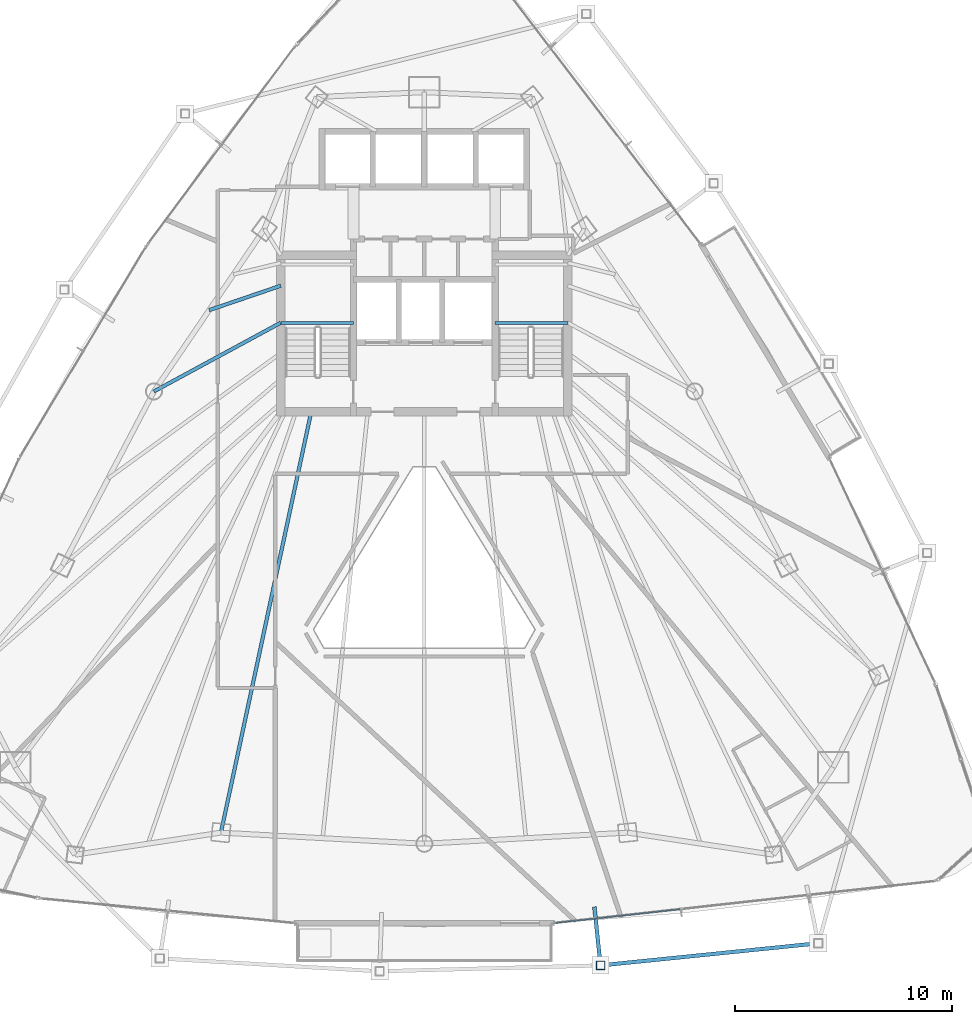
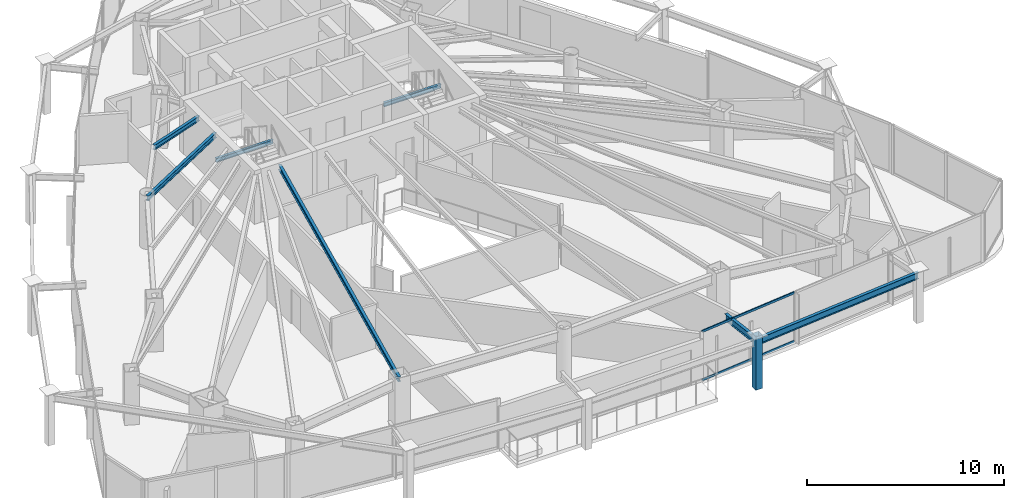
# One storey, part 12 of 31: 7 beams, 3 members, 1 element without a shape of its own.
"""IFC4 building model written with IfcOpenShell, lengths in metres."""

from ifc_helpers import new_model, si_unit, direction, frame, origin, origin_2d, place, context, subcontext, project, spatial, hollow_rectangle, i_section, extrude, material, layer, layer_set, material_profile, profile_set, type_object, element, aggregate, save


model = new_model("IFC4")

# Units and contexts
model_context = context("Model", 3, precision=1e-05, world=origin(), true_north=direction((0.0, 1.0)))
body_context = subcontext(model_context, "Body", "Model", "MODEL_VIEW")
ifc_project = project(units=[si_unit("LENGTHUNIT", "METRE"), si_unit("AREAUNIT", "SQUARE_METRE"), si_unit("VOLUMEUNIT", "CUBIC_METRE"), si_unit("PLANEANGLEUNIT", "RADIAN"), si_unit("MASSUNIT", "GRAM", prefix="KILO")], contexts=[model_context])

# Site, building, storey
site_placement = place(None, origin())
site = spatial("IfcSite", under=ifc_project, at=site_placement, CompositionType="ELEMENT")
building_placement = place(site_placement, origin())
building = spatial("IfcBuilding", under=site, at=building_placement, Name="Orvanel Arch Residences", CompositionType="ELEMENT")
storey_placement = place(building_placement, frame((0.0, 0.0, 133.10009765625)))
storey = spatial("IfcBuildingStorey", under=building, at=storey_placement, Name="L37", CompositionType="ELEMENT", Elevation=133.10009765625)

# Beams
ifc_material_1 = material(Name="Structural steel AS/NZS 3679.1 Grade 300 (300 MPa)", Category="steel")
ifc_material_profile_1 = material_profile(ifc_material_1, i_section(OverallWidth=0.14599609375, OverallDepth=0.251953125, WebThickness=0.006103515625, FlangeThickness=0.008544921875, at=origin_2d()), Name="250UB31.4")
ifc_profile_set_1 = profile_set([ifc_material_profile_1], Name="Structural steel AS/NZS 3679.1 Grade 300 (300 MPa)")
beam_type_1 = type_object("IfcBeamType", Name="BJ-250UB", PredefinedType="JOIST", material=ifc_profile_set_1)
for number, where, z_axis, x_axis, name in (
    (1, (26.39990234375, 30.780029296875, 1.323974609375), (1.0, 0.0, 0.0), (0.0, 1.0, 0.0), "L37 ST-1 Half-Landing Support Beam 1.1"),
    (2, (36.25, 30.780029296875, 1.323974609375), (1.0, 0.0, 0.0), (0.0, 1.0, 0.0), "L37 ST-2 Half-Landing Support Beam 1.1"),
):
    element("IfcBeam", number, at=place(storey_placement, frame(where, z_axis=z_axis, x_axis=x_axis)), inside=storey, type_object=beam_type_1, Name=name, PredefinedType="JOIST", context=body_context, shape_type="SweptSolid", body=[
        extrude(i_section(OverallWidth=0.14599609375, OverallDepth=0.251953125, WebThickness=0.006103515625, FlangeThickness=0.008544921875, at=origin_2d()), origin(), (0.0, 0.0, 1.0), 3.35009765625),
    ])
ifc_material_profile_2 = material_profile(ifc_material_1, i_section(OverallWidth=0.1650390625, OverallDepth=0.303955078125, WebThickness=0.006103515625, FlangeThickness=0.01025390625, at=origin_2d()), Name="310UB40.4")
ifc_profile_set_2 = profile_set([ifc_material_profile_2], Name="Structural steel AS/NZS 3679.1 Grade 300 (300 MPa)")
beam_type_2 = type_object("IfcBeamType", Name="BJ-310UB", PredefinedType="JOIST", material=ifc_profile_set_2)
beam_1_placement = place(storey_placement, frame((26.39990234375, 30.800048828125, 2.907958984375), z_axis=(-0.87925534649, -0.476350748576, 0.0), x_axis=(0.476350748576, -0.87925534649, 0.0)))
element("IfcBeam", 3, at=beam_1_placement, inside=storey, type_object=beam_type_2, Name="L37 NW Wing Floor Joist", PredefinedType="JOIST", context=body_context, shape_type="SweptSolid", body=[
    extrude(i_section(OverallWidth=0.1650390625, OverallDepth=0.303955078125, WebThickness=0.006103515625, FlangeThickness=0.01025390625, at=origin_2d()), origin(), (0.0, 0.0, 1.0), 6.631591796875),
])
beam_2_placement = place(storey_placement, frame((27.800048828125, 26.699951171875, 2.907958984375), z_axis=(-0.209808012425, -0.977742603103, 0.0), x_axis=(0.977742603103, -0.209808012425, 0.0)))
element("IfcBeam", 4, at=beam_2_placement, inside=storey, type_object=beam_type_2, Name="L37 SW Wing Floor Joist", PredefinedType="JOIST", context=body_context, shape_type="SweptSolid", body=[
    extrude(i_section(OverallWidth=0.1650390625, OverallDepth=0.303955078125, WebThickness=0.006103515625, FlangeThickness=0.01025390625, at=origin_2d()), origin(), (0.0, 0.0, 1.0), 19.785400390625),
])
beam_3_placement = place(storey_placement, frame((26.39990234375, 32.5, 2.907958984375), z_axis=(-0.946441958332, -0.322873999431, 0.0), x_axis=(0.322873999431, -0.946441958332, 0.0)))
element("IfcBeam", 5, at=beam_3_placement, inside=storey, type_object=beam_type_2, Name="L37 WNW Wing Floor Joist", PredefinedType="JOIST", context=body_context, shape_type="SweptSolid", body=[
    extrude(i_section(OverallWidth=0.1650390625, OverallDepth=0.303955078125, WebThickness=0.006103515625, FlangeThickness=0.01025390625, at=origin_2d()), origin(), (0.0, 0.0, 1.0), 3.478271484375),
])
ifc_material_profile_3 = material_profile(ifc_material_1, i_section(OverallWidth=0.177978515625, OverallDepth=0.406005859375, WebThickness=0.0078125, FlangeThickness=0.0126953125, at=origin_2d()), Name="410UB59.7")
ifc_profile_set_3 = profile_set([ifc_material_profile_3], Name="Structural steel AS/NZS 3679.1 Grade 300 (300 MPa)")
beam_type_3 = type_object("IfcBeamType", Name="OB-410UB-EXT", PredefinedType="SPANDREL", material=ifc_profile_set_3)
beam_4_placement = place(storey_placement, frame((40.819091796875, 3.943115234375, 2.85693359375), z_axis=(0.104492364551, -0.994525688834, 0.0), x_axis=(0.994525688834, 0.104492364551, 0.0)))
element("IfcBeam", 6, at=beam_4_placement, inside=storey, type_object=beam_type_3, Name="L37 Outer Frame Radial Tie Beam 07", PredefinedType="SPANDREL", context=body_context, shape_type="SweptSolid", body=[
    extrude(i_section(OverallWidth=0.177978515625, OverallDepth=0.406005859375, WebThickness=0.0078125, FlangeThickness=0.0126953125, at=origin_2d()), origin(), (0.0, 0.0, 1.0), 2.7080078125),
])
beam_5_placement = place(storey_placement, frame((41.10205078125, 1.25, 2.85693359375), z_axis=(0.994882564825, 0.101038023575, 0.0), x_axis=(-0.101038023575, 0.994882564825, 0.0)))
element("IfcBeam", 7, at=beam_5_placement, inside=storey, type_object=beam_type_3, Name="L37 Outer Perimeter Floor Ring Beam 07", PredefinedType="SPANDREL", context=body_context, shape_type="SweptSolid", body=[
    extrude(i_section(OverallWidth=0.177978515625, OverallDepth=0.406005859375, WebThickness=0.0078125, FlangeThickness=0.0126953125, at=origin_2d()), origin(), (0.0, 0.0, 1.0), 10.06640625),
])

# Member
ifc_material_2 = material(Name="Structural steel AS/NZS 1163 C450L0 (Grade 450)", Category="steel")
ifc_material_profile_4 = material_profile(ifc_material_2, hollow_rectangle(XDim=0.39990234375, YDim=0.39990234375, WallThickness=0.01611328125, at=origin_2d()), Name="SHS400x400x16")
ifc_profile_set_4 = profile_set([ifc_material_profile_4], Name="Structural steel AS/NZS 1163 C450L0 (Grade 450)")
member_type_1 = type_object("IfcMemberType", Name="ST-400SHS-EXT", PredefinedType="STRUT", material=ifc_profile_set_4)
member_1_placement = place(storey_placement, frame((41.10205078125, 1.25, 0.0), z_axis=(0.0, 0.0, 1.0), x_axis=(1.0, 0.0, 0.0)))
element("IfcMember", 8, at=member_1_placement, inside=storey, type_object=member_type_1, Name="L37 Outer Perimeter Frame Post 07", PredefinedType="STRUT", context=body_context, shape_type="SweptSolid", body=[
    extrude(hollow_rectangle(XDim=0.39990234375, YDim=0.39990234375, WallThickness=0.01611328125, at=origin_2d()), origin(), (0.0, 0.0, 1.0), 3.2998046875),
])

# Curtain wall, members
ifc_material_3 = material(Name="Bronze-anodised aluminium AA6063-T6", Category="aluminium")
ifc_layer = layer(ifc_material_3, 0.179931640625)
ifc_layer_set = layer_set([ifc_layer], Name="Bronze-anodised aluminium AA6063-T6")
curtain_wall_type = type_object("IfcCurtainWallType", Name="CW3-MID-SYS", PredefinedType="NOTDEFINED", material=ifc_layer_set)
curtain_wall_placement = place(storey_placement, origin())
curtain_wall = element("IfcCurtainWall", 9, at=curtain_wall_placement, inside=storey, type_object=curtain_wall_type, Name="L37 CW3-MID-SYS Unitised Curtain Wall", PredefinedType="NOTDEFINED")
ifc_material_profile_5 = material_profile(ifc_material_3, hollow_rectangle(XDim=0.06005859375, YDim=0.135009765625, WallThickness=0.00390625, at=origin_2d()), Name="ALU135x60x4")
ifc_profile_set_5 = profile_set([ifc_material_profile_5], Name="Bronze-anodised aluminium AA6063-T6")
member_type_2 = type_object("IfcMemberType", Name="TRN-135x60", PredefinedType="USERDEFINED", material=ifc_profile_set_5)
member_2_placement = place(storey_placement, frame((38.984619140625, 3.194580078125, 0.02978515625), z_axis=(0.993971530717, 0.109638479214, 0.0), x_axis=(-0.109638479214, 0.993971530717, 0.0)))
member_2 = element("IfcMember", 10, at=member_2_placement, type_object=member_type_2, Name="CW-S3 transom 1.1", ObjectType="TRANSOM", PredefinedType="USERDEFINED", context=body_context, shape_type="SweptSolid", body=[
    extrude(hollow_rectangle(XDim=0.06005859375, YDim=0.135009765625, WallThickness=0.00390625, at=origin_2d()), origin(), (0.0, 0.0, 1.0), 5.81201171875),
])
member_3_placement = place(storey_placement, frame((38.984619140625, 3.194580078125, 3.02978515625), z_axis=(0.993971530717, 0.109638479214, 0.0), x_axis=(-0.109638479214, 0.993971530717, 0.0)))
member_3 = element("IfcMember", 11, at=member_3_placement, type_object=member_type_2, Name="CW-S3 transom 1.2", ObjectType="TRANSOM", PredefinedType="USERDEFINED", context=body_context, shape_type="SweptSolid", body=[
    extrude(hollow_rectangle(XDim=0.06005859375, YDim=0.135009765625, WallThickness=0.00390625, at=origin_2d()), origin(), (0.0, 0.0, 1.0), 5.81201171875),
])
aggregate(curtain_wall, [member_2, member_3])

save(model, "model.ifc")
